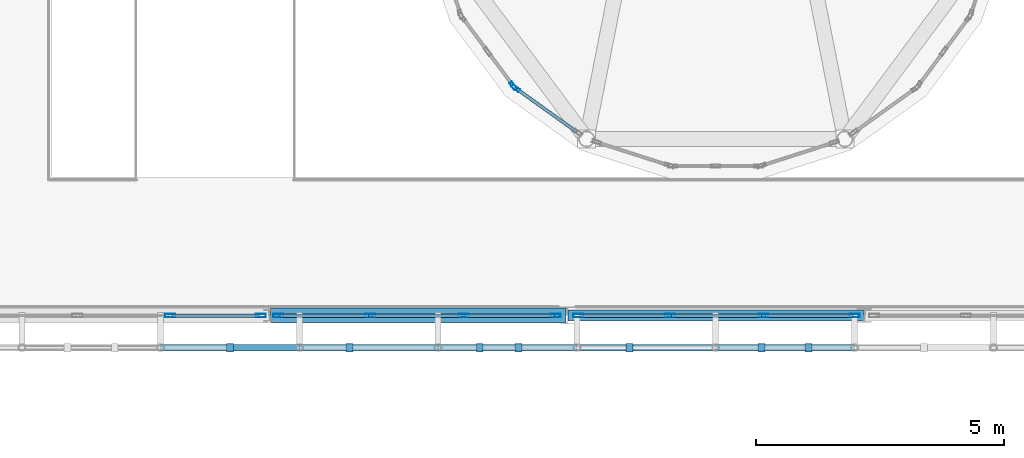
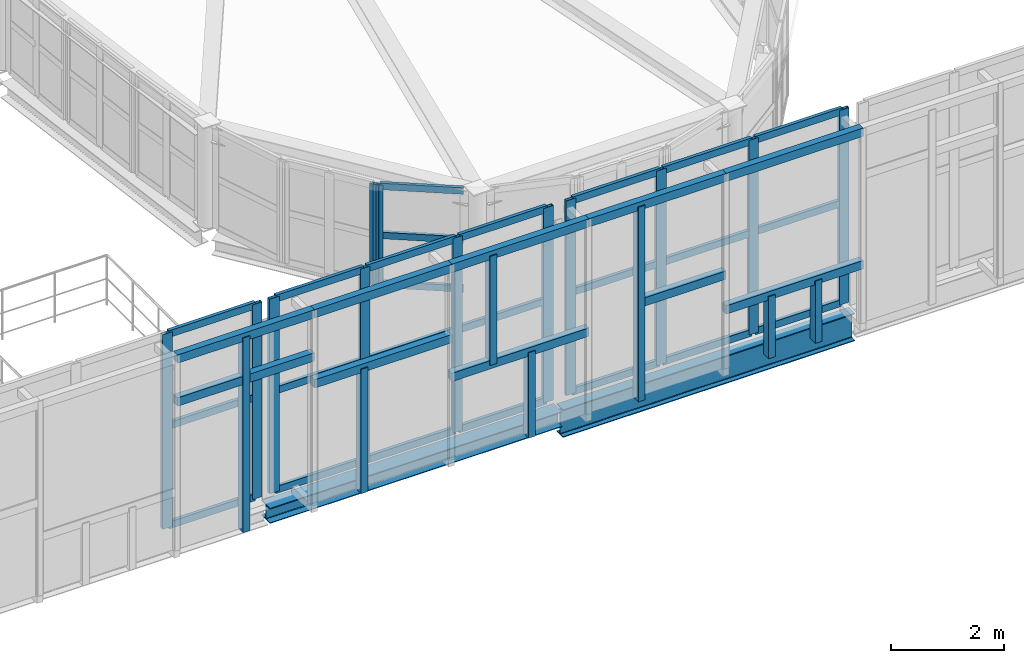
# One storey, part 22 of 78: 53 members, 2 beams, 5 elements without a shape of their own.
"""IFC4 building model written with IfcOpenShell, lengths in metres."""

from ifc_helpers import new_model, si_unit, direction, frame, origin, origin_2d, place, context, subcontext, project, spatial, rectangle, hollow_rectangle, i_section, extrude, material, layer, layer_set, material_profile, profile_set, type_object, element, aggregate, save


model = new_model("IFC4")

# Units and contexts
model_context = context("Model", 3, precision=1e-05, world=origin(), true_north=direction((0.0, 1.0)))
body_context = subcontext(model_context, "Body", "Model", "MODEL_VIEW")
ifc_project = project(units=[si_unit("LENGTHUNIT", "METRE"), si_unit("AREAUNIT", "SQUARE_METRE"), si_unit("VOLUMEUNIT", "CUBIC_METRE"), si_unit("PLANEANGLEUNIT", "RADIAN"), si_unit("MASSUNIT", "GRAM", prefix="KILO")], contexts=[model_context])

# Site, building, storey
site_placement = place(None, origin())
site = spatial("IfcSite", under=ifc_project, at=site_placement, CompositionType="ELEMENT")
building_placement = place(site_placement, origin())
building = spatial("IfcBuilding", under=site, at=building_placement, Name="Vinh Khe Railworks Police Headquarters", CompositionType="ELEMENT")
storey_placement = place(building_placement, frame((0.0, 0.0, 13.199951171875)))
storey = spatial("IfcBuildingStorey", under=building, at=storey_placement, Name="L03", CompositionType="ELEMENT", Elevation=13.199951171875)

# Members
ifc_material_1 = material(Name="Salvaged ironwood timber", Category="wood")
ifc_material_profile_1 = material_profile(ifc_material_1, rectangle(XDim=0.139892578125, YDim=0.179931640625, at=origin_2d()), Name="TIMBER 140x180")
ifc_profile_set_1 = profile_set([ifc_material_profile_1], Name="Salvaged ironwood timber")
member_type_1 = type_object("IfcMemberType", Name="MEM-QUILT-STILE", PredefinedType="CHORD", material=ifc_profile_set_1)
for number, where, z_axis, x_axis, name in (
    (1, (32.0, 24.550048828125, 4.1201171875), (1.0, 0.0, 0.0), (0.0, 1.0, 0.0), "Salvaged Timber Quilt Transom S-L03-02-TOP"),
    (2, (32.0, 24.550048828125, 3.192138671875), (1.0, 0.0, 0.0), (0.0, 1.0, 0.0), "Salvaged Timber Quilt Transom S-L03-02-M1"),
):
    element("IfcMember", number, at=place(storey_placement, frame(where, z_axis=z_axis, x_axis=x_axis)), inside=storey, type_object=member_type_1, Name=name, PredefinedType="CHORD", context=body_context, shape_type="SweptSolid", body=[
        extrude(rectangle(XDim=0.139892578125, YDim=0.179931640625, at=origin_2d()), origin(), (0.0, 0.0, 1.0), 2.800048828125),
    ])
member_1_placement = place(storey_placement, frame((33.39990234375, 24.550048828125, -0.079833984375), z_axis=(0.0, 0.0, 1.0), x_axis=(1.0, 0.0, 0.0)))
element("IfcMember", 3, at=member_1_placement, inside=storey, type_object=member_type_1, Name="Salvaged Timber Quilt Stile S-L03-02-V1", PredefinedType="POST", context=body_context, shape_type="SweptSolid", body=[
    extrude(rectangle(XDim=0.139892578125, YDim=0.179931640625, at=origin_2d()), origin(), (0.0, 0.0, 1.0), 4.199951171875),
])
for number, where, z_axis, x_axis, name in (
    (4, (34.800048828125, 24.550048828125, 4.1201171875), (1.0, 0.0, 0.0), (0.0, 1.0, 0.0), "Salvaged Timber Quilt Transom S-L03-03-TOP"),
    (5, (34.800048828125, 24.550048828125, 2.60400390625), (1.0, 0.0, 0.0), (0.0, 1.0, 0.0), "Salvaged Timber Quilt Transom S-L03-03-M1"),
):
    element("IfcMember", number, at=place(storey_placement, frame(where, z_axis=z_axis, x_axis=x_axis)), inside=storey, type_object=member_type_1, Name=name, PredefinedType="CHORD", context=body_context, shape_type="SweptSolid", body=[
        extrude(rectangle(XDim=0.139892578125, YDim=0.179931640625, at=origin_2d()), origin(), (0.0, 0.0, 1.0), 2.800048828125),
    ])
member_2_placement = place(storey_placement, frame((35.80810546875, 24.550048828125, -0.079833984375), z_axis=(0.0, 0.0, 1.0), x_axis=(1.0, 0.0, 0.0)))
element("IfcMember", 6, at=member_2_placement, inside=storey, type_object=member_type_1, Name="Salvaged Timber Quilt Stile S-L03-03-V1", PredefinedType="POST", context=body_context, shape_type="SweptSolid", body=[
    extrude(rectangle(XDim=0.139892578125, YDim=0.179931640625, at=origin_2d()), origin(), (0.0, 0.0, 1.0), 2.683837890625),
])
for number, where, z_axis, x_axis, name in (
    (7, (37.60009765625, 24.550048828125, 4.1201171875), (1.0, 0.0, 0.0), (0.0, 1.0, 0.0), "Salvaged Timber Quilt Transom S-L03-04-TOP"),
    (8, (37.60009765625, 24.550048828125, 1.76416015625), (1.0, 0.0, 0.0), (0.0, 1.0, 0.0), "Salvaged Timber Quilt Transom S-L03-04-M1"),
):
    element("IfcMember", number, at=place(storey_placement, frame(where, z_axis=z_axis, x_axis=x_axis)), inside=storey, type_object=member_type_1, Name=name, PredefinedType="CHORD", context=body_context, shape_type="SweptSolid", body=[
        extrude(rectangle(XDim=0.139892578125, YDim=0.179931640625, at=origin_2d()), origin(), (0.0, 0.0, 1.0), 2.7998046875),
    ])
member_3_placement = place(storey_placement, frame((39.22412109375, 24.550048828125, -0.079833984375), z_axis=(0.0, 0.0, 1.0), x_axis=(1.0, 0.0, 0.0)))
element("IfcMember", 9, at=member_3_placement, inside=storey, type_object=member_type_1, Name="Salvaged Timber Quilt Stile S-L03-04-V1", PredefinedType="POST", context=body_context, shape_type="SweptSolid", body=[
    extrude(rectangle(XDim=0.139892578125, YDim=0.179931640625, at=origin_2d()), origin(), (0.0, 0.0, 1.0), 1.843994140625),
])
member_4_placement = place(storey_placement, frame((38.43994140625, 24.550048828125, 1.76416015625), z_axis=(0.0, 0.0, 1.0), x_axis=(1.0, 0.0, 0.0)))
element("IfcMember", 10, at=member_4_placement, inside=storey, type_object=member_type_1, Name="Salvaged Timber Quilt Stile S-L03-04-V2", PredefinedType="POST", context=body_context, shape_type="SweptSolid", body=[
    extrude(rectangle(XDim=0.139892578125, YDim=0.179931640625, at=origin_2d()), origin(), (0.0, 0.0, 1.0), 2.35595703125),
])
member_5_placement = place(storey_placement, frame((40.39990234375, 24.550048828125, 4.1201171875), z_axis=(1.0, 0.0, 0.0), x_axis=(0.0, 1.0, 0.0)))
element("IfcMember", 11, at=member_5_placement, inside=storey, type_object=member_type_1, Name="Salvaged Timber Quilt Transom S-L03-05-TOP", PredefinedType="CHORD", context=body_context, shape_type="SweptSolid", body=[
    extrude(rectangle(XDim=0.139892578125, YDim=0.179931640625, at=origin_2d()), origin(), (0.0, 0.0, 1.0), 2.800048828125),
])
member_6_placement = place(storey_placement, frame((41.464111328125, 24.550048828125, -0.079833984375), z_axis=(0.0, 0.0, 1.0), x_axis=(1.0, 0.0, 0.0)))
element("IfcMember", 12, at=member_6_placement, inside=storey, type_object=member_type_1, Name="Salvaged Timber Quilt Stile S-L03-05-V1", PredefinedType="POST", context=body_context, shape_type="SweptSolid", body=[
    extrude(rectangle(XDim=0.139892578125, YDim=0.179931640625, at=origin_2d()), origin(), (0.0, 0.0, 1.0), 4.199951171875),
])
member_7_placement = place(storey_placement, frame((41.464111328125, 24.550048828125, 2.01611328125), z_axis=(1.0, 0.0, 0.0), x_axis=(0.0, 1.0, 0.0)))
element("IfcMember", 13, at=member_7_placement, inside=storey, type_object=member_type_1, Name="Salvaged Timber Quilt Transom S-L03-05-M1", PredefinedType="CHORD", context=body_context, shape_type="SweptSolid", body=[
    extrude(rectangle(XDim=0.139892578125, YDim=0.179931640625, at=origin_2d()), origin(), (0.0, 0.0, 1.0), 1.73583984375),
])
for number, where, z_axis, x_axis, name in (
    (14, (43.199951171875, 24.550048828125, 4.1201171875), (1.0, 0.0, 0.0), (0.0, 1.0, 0.0), "Salvaged Timber Quilt Transom S-L03-06-TOP"),
    (15, (43.199951171875, 24.550048828125, 1.260009765625), (1.0, 0.0, 0.0), (0.0, 1.0, 0.0), "Salvaged Timber Quilt Transom S-L03-06-M1"),
):
    element("IfcMember", number, at=place(storey_placement, frame(where, z_axis=z_axis, x_axis=x_axis)), inside=storey, type_object=member_type_1, Name=name, PredefinedType="CHORD", context=body_context, shape_type="SweptSolid", body=[
        extrude(rectangle(XDim=0.139892578125, YDim=0.179931640625, at=origin_2d()), origin(), (0.0, 0.0, 1.0), 2.800048828125),
    ])
for number, where, z_axis, x_axis, name in (
    (16, (44.1240234375, 24.550048828125, -0.079833984375), (0.0, 0.0, 1.0), (1.0, 0.0, 0.0), "Salvaged Timber Quilt Stile S-L03-06-V1"),
    (17, (45.075927734375, 24.550048828125, -0.079833984375), (0.0, 0.0, 1.0), (1.0, 0.0, 0.0), "Salvaged Timber Quilt Stile S-L03-06-V2"),
):
    element("IfcMember", number, at=place(storey_placement, frame(where, z_axis=z_axis, x_axis=x_axis)), inside=storey, type_object=member_type_1, Name=name, PredefinedType="POST", context=body_context, shape_type="SweptSolid", body=[
        extrude(rectangle(XDim=0.139892578125, YDim=0.179931640625, at=origin_2d()), origin(), (0.0, 0.0, 1.0), 1.33984375),
    ])

# Curtain wall, member
ifc_material_2 = material(Name="Anodised aluminium and acoustic laminated glass", Category="aluminium")
ifc_layer_1 = layer(ifc_material_2, 0.159912109375)
ifc_layer_set_1 = layer_set([ifc_layer_1], Name="Anodised aluminium and acoustic laminated glass")
curtain_wall_type_1 = type_object("IfcCurtainWallType", Name="CW-DRUM-CHORD", PredefinedType="USERDEFINED", material=ifc_layer_set_1)
curtain_wall_1_placement = place(storey_placement, origin())
curtain_wall_1 = element("IfcCurtainWall", 18, at=curtain_wall_1_placement, inside=storey, type_object=curtain_wall_type_1, Name="Elliptical Command Drum Glazing L03 Chord 29", ObjectType="DRUM FACADE GLAZING", PredefinedType="USERDEFINED")
ifc_material_3 = material(Name="Anodised aluminium 6063-T6", Category="aluminium")
ifc_material_profile_2 = material_profile(ifc_material_3, hollow_rectangle(XDim=0.06494140625, YDim=0.179931640625, WallThickness=0.0048828125, at=origin_2d()), Name="CW-M 65x180x5")
ifc_profile_set_2 = profile_set([ifc_material_profile_2], Name="Anodised aluminium 6063-T6")
member_type_2 = type_object("IfcMemberType", Name="MULL-CWM-02", PredefinedType="MULLION", material=ifc_profile_set_2)
member_8_placement = place(storey_placement, frame((39.11669921875, 29.83251953125, 0.0), z_axis=(0.0, 0.0, 1.0), x_axis=(0.802591949394, 0.596528425784, 0.0)))
member_8 = element("IfcMember", 19, at=member_8_placement, type_object=member_type_2, Name="CW-02 mullion 3", PredefinedType="MULLION", context=body_context, shape_type="SweptSolid", body=[
    extrude(hollow_rectangle(XDim=0.06494140625, YDim=0.179931640625, WallThickness=0.0048828125, at=origin_2d()), origin(), (0.0, 0.0, 1.0), 2.179931640625),
])
aggregate(curtain_wall_1, [member_8])

curtain_wall_2_placement = place(storey_placement, origin())
curtain_wall_2 = element("IfcCurtainWall", 20, at=curtain_wall_2_placement, inside=storey, type_object=curtain_wall_type_1, Name="Elliptical Command Drum Glazing L03 Chord 30", ObjectType="DRUM FACADE GLAZING", PredefinedType="USERDEFINED")
member_9_placement = place(storey_placement, frame((39.162353515625, 29.78759765625, 0.0), z_axis=(0.0, 0.0, 1.0), x_axis=(0.581914029649, 0.813250307161, 0.0)))
member_9 = element("IfcMember", 21, at=member_9_placement, type_object=member_type_2, Name="CW-02 mullion 1", PredefinedType="MULLION", context=body_context, shape_type="SweptSolid", body=[
    extrude(hollow_rectangle(XDim=0.06494140625, YDim=0.179931640625, WallThickness=0.0048828125, at=origin_2d()), origin(), (0.0, 0.0, 1.0), 2.179931640625),
])

# Curtain wall, members
ifc_material_4 = material(Name="Anodised aluminium and low-iron glass", Category="aluminium")
ifc_layer_2 = layer(ifc_material_4, 0.179931640625)
ifc_layer_set_2 = layer_set([ifc_layer_2], Name="Anodised aluminium and low-iron glass")
curtain_wall_type_2 = type_object("IfcCurtainWallType", Name="CW-CUBE-UNIT", PredefinedType="USERDEFINED", material=ifc_layer_set_2)
curtain_wall_3_placement = place(storey_placement, origin())
curtain_wall_3 = element("IfcCurtainWall", 22, at=curtain_wall_3_placement, inside=storey, type_object=curtain_wall_type_2, Name="Entrance Hall Curtain Wall L03 S-1", ObjectType="UNITISED GLAZING", PredefinedType="USERDEFINED")
ifc_material_profile_3 = material_profile(ifc_material_3, hollow_rectangle(XDim=0.070068359375, YDim=0.199951171875, WallThickness=0.0048828125, at=origin_2d()), Name="CW-M 70x200x5")
ifc_profile_set_3 = profile_set([ifc_material_profile_3], Name="Anodised aluminium 6063-T6")
member_type_3 = type_object("IfcMemberType", Name="MULL-CWM-03", PredefinedType="MULLION", material=ifc_profile_set_3)
member_10_placement = place(storey_placement, frame((32.191162109375, 25.199951171875, 0.0), z_axis=(0.0, 0.0, 1.0), x_axis=(0.0, 1.0, 0.0)))
member_10 = element("IfcMember", 23, at=member_10_placement, type_object=member_type_3, Name="CW-01 mullion 4", PredefinedType="MULLION", context=body_context, shape_type="SweptSolid", body=[
    extrude(hollow_rectangle(XDim=0.070068359375, YDim=0.199951171875, WallThickness=0.0048828125, at=origin_2d()), origin(), (0.0, 0.0, 1.0), 4.199951171875),
])
member_11_placement = place(storey_placement, frame((34.02490234375, 25.199951171875, 0.0), z_axis=(0.0, 0.0, 1.0), x_axis=(0.0, 1.0, 0.0)))
member_11 = element("IfcMember", 24, at=member_11_placement, type_object=member_type_3, Name="CW-01 mullion 5", PredefinedType="MULLION", context=body_context, shape_type="SweptSolid", body=[
    extrude(hollow_rectangle(XDim=0.070068359375, YDim=0.199951171875, WallThickness=0.0048828125, at=origin_2d()), origin(), (0.0, 0.0, 1.0), 4.199951171875),
])

curtain_wall_4_placement = place(storey_placement, origin())
curtain_wall_4 = element("IfcCurtainWall", 25, at=curtain_wall_4_placement, inside=storey, type_object=curtain_wall_type_2, Name="Entrance Hall Curtain Wall L03 S-2", ObjectType="UNITISED GLAZING", PredefinedType="USERDEFINED")
member_12_placement = place(storey_placement, frame((34.375, 25.199951171875, 0.0), z_axis=(0.0, 0.0, 1.0), x_axis=(0.0, 1.0, 0.0)))
member_12 = element("IfcMember", 26, at=member_12_placement, type_object=member_type_3, Name="CW-01 mullion 1", PredefinedType="MULLION", context=body_context, shape_type="SweptSolid", body=[
    extrude(hollow_rectangle(XDim=0.070068359375, YDim=0.199951171875, WallThickness=0.0048828125, at=origin_2d()), origin(), (0.0, 0.0, 1.0), 4.199951171875),
])
member_13_placement = place(storey_placement, frame((36.228271484375, 25.199951171875, 0.0), z_axis=(0.0, 0.0, 1.0), x_axis=(0.0, 1.0, 0.0)))
member_13 = element("IfcMember", 27, at=member_13_placement, type_object=member_type_3, Name="CW-01 mullion 2", PredefinedType="MULLION", context=body_context, shape_type="SweptSolid", body=[
    extrude(hollow_rectangle(XDim=0.070068359375, YDim=0.199951171875, WallThickness=0.0048828125, at=origin_2d()), origin(), (0.0, 0.0, 1.0), 4.199951171875),
])
member_14_placement = place(storey_placement, frame((38.11669921875, 25.199951171875, 0.0), z_axis=(0.0, 0.0, 1.0), x_axis=(0.0, 1.0, 0.0)))
member_14 = element("IfcMember", 28, at=member_14_placement, type_object=member_type_3, Name="CW-01 mullion 3", PredefinedType="MULLION", context=body_context, shape_type="SweptSolid", body=[
    extrude(hollow_rectangle(XDim=0.070068359375, YDim=0.199951171875, WallThickness=0.0048828125, at=origin_2d()), origin(), (0.0, 0.0, 1.0), 4.199951171875),
])
member_15_placement = place(storey_placement, frame((39.969970703125, 25.199951171875, 0.0), z_axis=(0.0, 0.0, 1.0), x_axis=(0.0, 1.0, 0.0)))
member_15 = element("IfcMember", 29, at=member_15_placement, type_object=member_type_3, Name="CW-01 mullion 4", PredefinedType="MULLION", context=body_context, shape_type="SweptSolid", body=[
    extrude(hollow_rectangle(XDim=0.070068359375, YDim=0.199951171875, WallThickness=0.0048828125, at=origin_2d()), origin(), (0.0, 0.0, 1.0), 4.199951171875),
])

curtain_wall_5_placement = place(storey_placement, origin())
curtain_wall_5 = element("IfcCurtainWall", 30, at=curtain_wall_5_placement, inside=storey, type_object=curtain_wall_type_2, Name="Entrance Hall Curtain Wall L03 S-3", ObjectType="UNITISED GLAZING", PredefinedType="USERDEFINED")
member_16_placement = place(storey_placement, frame((40.429931640625, 25.199951171875, 0.0), z_axis=(0.0, 0.0, 1.0), x_axis=(0.0, 1.0, 0.0)))
member_16 = element("IfcMember", 31, at=member_16_placement, type_object=member_type_3, Name="CW-01 mullion 1", PredefinedType="MULLION", context=body_context, shape_type="SweptSolid", body=[
    extrude(hollow_rectangle(XDim=0.070068359375, YDim=0.199951171875, WallThickness=0.0048828125, at=origin_2d()), origin(), (0.0, 0.0, 1.0), 4.199951171875),
])
member_17_placement = place(storey_placement, frame((42.276611328125, 25.199951171875, 0.0), z_axis=(0.0, 0.0, 1.0), x_axis=(0.0, 1.0, 0.0)))
member_17 = element("IfcMember", 32, at=member_17_placement, type_object=member_type_3, Name="CW-01 mullion 2", PredefinedType="MULLION", context=body_context, shape_type="SweptSolid", body=[
    extrude(hollow_rectangle(XDim=0.070068359375, YDim=0.199951171875, WallThickness=0.0048828125, at=origin_2d()), origin(), (0.0, 0.0, 1.0), 4.199951171875),
])
member_18_placement = place(storey_placement, frame((44.158447265625, 25.199951171875, 0.0), z_axis=(0.0, 0.0, 1.0), x_axis=(0.0, 1.0, 0.0)))
member_18 = element("IfcMember", 33, at=member_18_placement, type_object=member_type_3, Name="CW-01 mullion 3", PredefinedType="MULLION", context=body_context, shape_type="SweptSolid", body=[
    extrude(hollow_rectangle(XDim=0.070068359375, YDim=0.199951171875, WallThickness=0.0048828125, at=origin_2d()), origin(), (0.0, 0.0, 1.0), 4.199951171875),
])
member_19_placement = place(storey_placement, frame((46.0048828125, 25.199951171875, 0.0), z_axis=(0.0, 0.0, 1.0), x_axis=(0.0, 1.0, 0.0)))
member_19 = element("IfcMember", 34, at=member_19_placement, type_object=member_type_3, Name="CW-01 mullion 4", PredefinedType="MULLION", context=body_context, shape_type="SweptSolid", body=[
    extrude(hollow_rectangle(XDim=0.070068359375, YDim=0.199951171875, WallThickness=0.0048828125, at=origin_2d()), origin(), (0.0, 0.0, 1.0), 4.199951171875),
])

# Beams
ifc_material_5 = material(Name="Steel S355JR", Category="steel")
ifc_material_profile_4 = material_profile(ifc_material_5, i_section(OverallWidth=0.300048828125, OverallDepth=0.330078125, WebThickness=0.009521484375, FlangeThickness=0.0166015625, FilletRadius=0.027099609375, at=origin_2d()), Name="HEA 340")
ifc_profile_set_4 = profile_set([ifc_material_profile_4], Name="Steel S355JR")
beam_type_1 = type_object("IfcBeamType", Name="Steel Girder HEA 340", PredefinedType="BEAM", material=ifc_profile_set_4)
beam_1_placement = place(storey_placement, frame((34.219970703125, 25.199951171875, -0.385009765625), z_axis=(1.0, 0.0, 0.0), x_axis=(0.0, 1.0, 0.0)))
element("IfcBeam", 35, at=beam_1_placement, inside=storey, type_object=beam_type_1, Name="Girder BM-L03-EW-SB-16-1040", PredefinedType="BEAM", context=body_context, shape_type="SweptSolid", body=[
    extrude(i_section(OverallWidth=0.300048828125, OverallDepth=0.330078125, WebThickness=0.009521484375, FlangeThickness=0.0166015625, FilletRadius=0.027099609375, at=origin_2d()), origin(), (0.0, 0.0, 1.0), 5.9599609375),
])
ifc_material_profile_5 = material_profile(ifc_material_5, i_section(OverallWidth=0.219970703125, OverallDepth=0.60009765625, WebThickness=0.011962890625, FlangeThickness=0.01904296875, FilletRadius=0.02392578125, at=origin_2d()), Name="IPE 600")
ifc_profile_set_5 = profile_set([ifc_material_profile_5], Name="Steel S355JR")
beam_type_2 = type_object("IfcBeamType", Name="Steel Girder IPE 600", PredefinedType="BEAM", material=ifc_profile_set_5)
beam_2_placement = place(storey_placement, frame((40.219970703125, 25.199951171875, -0.52001953125), z_axis=(1.0, 0.0, 0.0), x_axis=(0.0, 1.0, 0.0)))
element("IfcBeam", 36, at=beam_2_placement, inside=storey, type_object=beam_type_2, Name="Girder BM-L03-EW-SB-17-1041", PredefinedType="BEAM", context=body_context, shape_type="SweptSolid", body=[
    extrude(i_section(OverallWidth=0.219970703125, OverallDepth=0.60009765625, WebThickness=0.011962890625, FlangeThickness=0.01904296875, FilletRadius=0.02392578125, at=origin_2d()), origin(), (0.0, 0.0, 1.0), 5.9599609375),
])

# Member
ifc_material_profile_6 = material_profile(ifc_material_3, hollow_rectangle(XDim=0.06494140625, YDim=0.139892578125, WallThickness=0.00390625, at=origin_2d()), Name="CW-T 65x140x4")
ifc_profile_set_6 = profile_set([ifc_material_profile_6], Name="Anodised aluminium 6063-T6")
member_type_4 = type_object("IfcMemberType", Name="TRAN-CWT-02", PredefinedType="USERDEFINED", material=ifc_profile_set_6)
member_20_placement = place(storey_placement, frame((39.18896484375, 29.7685546875, 0.032470703125), z_axis=(0.81324336246, -0.58192373505, 0.0), x_axis=(0.58192373505, 0.81324336246, 0.0)))
member_20 = element("IfcMember", 37, at=member_20_placement, type_object=member_type_4, Name="CW-02 transom 1.1", ObjectType="TRANSOM", PredefinedType="USERDEFINED", context=body_context, shape_type="SweptSolid", body=[
    extrude(hollow_rectangle(XDim=0.06494140625, YDim=0.139892578125, WallThickness=0.00390625, at=origin_2d()), origin(), (0.0, 0.0, 1.0), 1.48193359375),
])

member_21_placement = place(storey_placement, frame((39.18896484375, 29.7685546875, 1.090087890625), z_axis=(0.81324336246, -0.58192373505, 0.0), x_axis=(0.58192373505, 0.81324336246, 0.0)))
member_21 = element("IfcMember", 38, at=member_21_placement, type_object=member_type_4, Name="CW-02 transom 1.2", ObjectType="TRANSOM", PredefinedType="USERDEFINED", context=body_context, shape_type="SweptSolid", body=[
    extrude(hollow_rectangle(XDim=0.06494140625, YDim=0.139892578125, WallThickness=0.00390625, at=origin_2d()), origin(), (0.0, 0.0, 1.0), 1.48193359375),
])

member_22_placement = place(storey_placement, frame((39.18896484375, 29.7685546875, 2.1474609375), z_axis=(0.81324336246, -0.58192373505, 0.0), x_axis=(0.58192373505, 0.81324336246, 0.0)))
member_22 = element("IfcMember", 39, at=member_22_placement, type_object=member_type_4, Name="CW-02 transom 1.3", ObjectType="TRANSOM", PredefinedType="USERDEFINED", context=body_context, shape_type="SweptSolid", body=[
    extrude(hollow_rectangle(XDim=0.06494140625, YDim=0.139892578125, WallThickness=0.00390625, at=origin_2d()), origin(), (0.0, 0.0, 1.0), 1.48193359375),
])

aggregate(curtain_wall_2, [member_9, member_20, member_21, member_22])

ifc_material_profile_7 = material_profile(ifc_material_3, hollow_rectangle(XDim=0.070068359375, YDim=0.14990234375, WallThickness=0.0048828125, at=origin_2d()), Name="CW-T 70x150x5")
ifc_profile_set_7 = profile_set([ifc_material_profile_7], Name="Anodised aluminium 6063-T6")
member_type_5 = type_object("IfcMemberType", Name="TRAN-CWT-03", PredefinedType="USERDEFINED", material=ifc_profile_set_7)
member_23_placement = place(storey_placement, frame((32.226318359375, 25.199951171875, 0.03515625), z_axis=(1.0, 0.0, 0.0), x_axis=(0.0, 1.0, 0.0)))
member_23 = element("IfcMember", 40, at=member_23_placement, type_object=member_type_5, Name="CW-01 transom 4.1", ObjectType="TRANSOM", PredefinedType="USERDEFINED", context=body_context, shape_type="SweptSolid", body=[
    extrude(hollow_rectangle(XDim=0.070068359375, YDim=0.14990234375, WallThickness=0.0048828125, at=origin_2d()), origin(), (0.0, 0.0, 1.0), 1.763671875),
])

member_24_placement = place(storey_placement, frame((32.226318359375, 25.199951171875, 2.18408203125), z_axis=(1.0, 0.0, 0.0), x_axis=(0.0, 1.0, 0.0)))
member_24 = element("IfcMember", 41, at=member_24_placement, type_object=member_type_5, Name="CW-01 transom 4.2", ObjectType="TRANSOM", PredefinedType="USERDEFINED", context=body_context, shape_type="SweptSolid", body=[
    extrude(hollow_rectangle(XDim=0.070068359375, YDim=0.14990234375, WallThickness=0.0048828125, at=origin_2d()), origin(), (0.0, 0.0, 1.0), 1.763671875),
])

member_25_placement = place(storey_placement, frame((32.226318359375, 25.199951171875, 4.1650390625), z_axis=(1.0, 0.0, 0.0), x_axis=(0.0, 1.0, 0.0)))
member_25 = element("IfcMember", 42, at=member_25_placement, type_object=member_type_5, Name="CW-01 transom 4.3", ObjectType="TRANSOM", PredefinedType="USERDEFINED", context=body_context, shape_type="SweptSolid", body=[
    extrude(hollow_rectangle(XDim=0.070068359375, YDim=0.14990234375, WallThickness=0.0048828125, at=origin_2d()), origin(), (0.0, 0.0, 1.0), 1.763671875),
])

aggregate(curtain_wall_3, [member_10, member_11, member_23, member_24, member_25])

member_26_placement = place(storey_placement, frame((34.409912109375, 25.199951171875, 0.03515625), z_axis=(1.0, 0.0, 0.0), x_axis=(0.0, 1.0, 0.0)))
member_26 = element("IfcMember", 43, at=member_26_placement, type_object=member_type_5, Name="CW-01 transom 1.1", ObjectType="TRANSOM", PredefinedType="USERDEFINED", context=body_context, shape_type="SweptSolid", body=[
    extrude(hollow_rectangle(XDim=0.070068359375, YDim=0.14990234375, WallThickness=0.0048828125, at=origin_2d()), origin(), (0.0, 0.0, 1.0), 1.783447265625),
])

member_27_placement = place(storey_placement, frame((34.409912109375, 25.199951171875, 2.18408203125), z_axis=(1.0, 0.0, 0.0), x_axis=(0.0, 1.0, 0.0)))
member_27 = element("IfcMember", 44, at=member_27_placement, type_object=member_type_5, Name="CW-01 transom 1.2", ObjectType="TRANSOM", PredefinedType="USERDEFINED", context=body_context, shape_type="SweptSolid", body=[
    extrude(hollow_rectangle(XDim=0.070068359375, YDim=0.14990234375, WallThickness=0.0048828125, at=origin_2d()), origin(), (0.0, 0.0, 1.0), 1.783447265625),
])

member_28_placement = place(storey_placement, frame((34.409912109375, 25.199951171875, 4.1650390625), z_axis=(1.0, 0.0, 0.0), x_axis=(0.0, 1.0, 0.0)))
member_28 = element("IfcMember", 45, at=member_28_placement, type_object=member_type_5, Name="CW-01 transom 1.3", ObjectType="TRANSOM", PredefinedType="USERDEFINED", context=body_context, shape_type="SweptSolid", body=[
    extrude(hollow_rectangle(XDim=0.070068359375, YDim=0.14990234375, WallThickness=0.0048828125, at=origin_2d()), origin(), (0.0, 0.0, 1.0), 1.783447265625),
])

member_29_placement = place(storey_placement, frame((36.263427734375, 25.199951171875, 0.03515625), z_axis=(1.0, 0.0, 0.0), x_axis=(0.0, 1.0, 0.0)))
member_29 = element("IfcMember", 46, at=member_29_placement, type_object=member_type_5, Name="CW-01 transom 2.1", ObjectType="TRANSOM", PredefinedType="USERDEFINED", context=body_context, shape_type="SweptSolid", body=[
    extrude(hollow_rectangle(XDim=0.070068359375, YDim=0.14990234375, WallThickness=0.0048828125, at=origin_2d()), origin(), (0.0, 0.0, 1.0), 1.818359375),
])

member_30_placement = place(storey_placement, frame((36.263427734375, 25.199951171875, 2.18408203125), z_axis=(1.0, 0.0, 0.0), x_axis=(0.0, 1.0, 0.0)))
member_30 = element("IfcMember", 47, at=member_30_placement, type_object=member_type_5, Name="CW-01 transom 2.2", ObjectType="TRANSOM", PredefinedType="USERDEFINED", context=body_context, shape_type="SweptSolid", body=[
    extrude(hollow_rectangle(XDim=0.070068359375, YDim=0.14990234375, WallThickness=0.0048828125, at=origin_2d()), origin(), (0.0, 0.0, 1.0), 1.818359375),
])

member_31_placement = place(storey_placement, frame((36.263427734375, 25.199951171875, 4.1650390625), z_axis=(1.0, 0.0, 0.0), x_axis=(0.0, 1.0, 0.0)))
member_31 = element("IfcMember", 48, at=member_31_placement, type_object=member_type_5, Name="CW-01 transom 2.3", ObjectType="TRANSOM", PredefinedType="USERDEFINED", context=body_context, shape_type="SweptSolid", body=[
    extrude(hollow_rectangle(XDim=0.070068359375, YDim=0.14990234375, WallThickness=0.0048828125, at=origin_2d()), origin(), (0.0, 0.0, 1.0), 1.818359375),
])

member_32_placement = place(storey_placement, frame((38.151611328125, 25.199951171875, 0.03515625), z_axis=(1.0, 0.0, 0.0), x_axis=(0.0, 1.0, 0.0)))
member_32 = element("IfcMember", 49, at=member_32_placement, type_object=member_type_5, Name="CW-01 transom 3.1", ObjectType="TRANSOM", PredefinedType="USERDEFINED", context=body_context, shape_type="SweptSolid", body=[
    extrude(hollow_rectangle(XDim=0.070068359375, YDim=0.14990234375, WallThickness=0.0048828125, at=origin_2d()), origin(), (0.0, 0.0, 1.0), 1.783447265625),
])

member_33_placement = place(storey_placement, frame((38.151611328125, 25.199951171875, 2.18408203125), z_axis=(1.0, 0.0, 0.0), x_axis=(0.0, 1.0, 0.0)))
member_33 = element("IfcMember", 50, at=member_33_placement, type_object=member_type_5, Name="CW-01 transom 3.2", ObjectType="TRANSOM", PredefinedType="USERDEFINED", context=body_context, shape_type="SweptSolid", body=[
    extrude(hollow_rectangle(XDim=0.070068359375, YDim=0.14990234375, WallThickness=0.0048828125, at=origin_2d()), origin(), (0.0, 0.0, 1.0), 1.783447265625),
])

member_34_placement = place(storey_placement, frame((38.151611328125, 25.199951171875, 4.1650390625), z_axis=(1.0, 0.0, 0.0), x_axis=(0.0, 1.0, 0.0)))
member_34 = element("IfcMember", 51, at=member_34_placement, type_object=member_type_5, Name="CW-01 transom 3.3", ObjectType="TRANSOM", PredefinedType="USERDEFINED", context=body_context, shape_type="SweptSolid", body=[
    extrude(hollow_rectangle(XDim=0.070068359375, YDim=0.14990234375, WallThickness=0.0048828125, at=origin_2d()), origin(), (0.0, 0.0, 1.0), 1.783447265625),
])

aggregate(curtain_wall_4, [member_12, member_13, member_14, member_15, member_26, member_27, member_28, member_29, member_30, member_31, member_32, member_33, member_34])

member_35_placement = place(storey_placement, frame((40.465087890625, 25.199951171875, 0.03515625), z_axis=(1.0, 0.0, 0.0), x_axis=(0.0, 1.0, 0.0)))
member_35 = element("IfcMember", 52, at=member_35_placement, type_object=member_type_5, Name="CW-01 transom 1.1", ObjectType="TRANSOM", PredefinedType="USERDEFINED", context=body_context, shape_type="SweptSolid", body=[
    extrude(hollow_rectangle(XDim=0.070068359375, YDim=0.14990234375, WallThickness=0.0048828125, at=origin_2d()), origin(), (0.0, 0.0, 1.0), 1.776611328125),
])

member_36_placement = place(storey_placement, frame((40.465087890625, 25.199951171875, 2.18408203125), z_axis=(1.0, 0.0, 0.0), x_axis=(0.0, 1.0, 0.0)))
member_36 = element("IfcMember", 53, at=member_36_placement, type_object=member_type_5, Name="CW-01 transom 1.2", ObjectType="TRANSOM", PredefinedType="USERDEFINED", context=body_context, shape_type="SweptSolid", body=[
    extrude(hollow_rectangle(XDim=0.070068359375, YDim=0.14990234375, WallThickness=0.0048828125, at=origin_2d()), origin(), (0.0, 0.0, 1.0), 1.776611328125),
])

member_37_placement = place(storey_placement, frame((40.465087890625, 25.199951171875, 4.1650390625), z_axis=(1.0, 0.0, 0.0), x_axis=(0.0, 1.0, 0.0)))
member_37 = element("IfcMember", 54, at=member_37_placement, type_object=member_type_5, Name="CW-01 transom 1.3", ObjectType="TRANSOM", PredefinedType="USERDEFINED", context=body_context, shape_type="SweptSolid", body=[
    extrude(hollow_rectangle(XDim=0.070068359375, YDim=0.14990234375, WallThickness=0.0048828125, at=origin_2d()), origin(), (0.0, 0.0, 1.0), 1.776611328125),
])

member_38_placement = place(storey_placement, frame((42.311767578125, 25.199951171875, 0.03515625), z_axis=(1.0, 0.0, 0.0), x_axis=(0.0, 1.0, 0.0)))
member_38 = element("IfcMember", 55, at=member_38_placement, type_object=member_type_5, Name="CW-01 transom 2.1", ObjectType="TRANSOM", PredefinedType="USERDEFINED", context=body_context, shape_type="SweptSolid", body=[
    extrude(hollow_rectangle(XDim=0.070068359375, YDim=0.14990234375, WallThickness=0.0048828125, at=origin_2d()), origin(), (0.0, 0.0, 1.0), 1.8115234375),
])

member_39_placement = place(storey_placement, frame((42.311767578125, 25.199951171875, 2.18408203125), z_axis=(1.0, 0.0, 0.0), x_axis=(0.0, 1.0, 0.0)))
member_39 = element("IfcMember", 56, at=member_39_placement, type_object=member_type_5, Name="CW-01 transom 2.2", ObjectType="TRANSOM", PredefinedType="USERDEFINED", context=body_context, shape_type="SweptSolid", body=[
    extrude(hollow_rectangle(XDim=0.070068359375, YDim=0.14990234375, WallThickness=0.0048828125, at=origin_2d()), origin(), (0.0, 0.0, 1.0), 1.8115234375),
])

member_40_placement = place(storey_placement, frame((42.311767578125, 25.199951171875, 4.1650390625), z_axis=(1.0, 0.0, 0.0), x_axis=(0.0, 1.0, 0.0)))
member_40 = element("IfcMember", 57, at=member_40_placement, type_object=member_type_5, Name="CW-01 transom 2.3", ObjectType="TRANSOM", PredefinedType="USERDEFINED", context=body_context, shape_type="SweptSolid", body=[
    extrude(hollow_rectangle(XDim=0.070068359375, YDim=0.14990234375, WallThickness=0.0048828125, at=origin_2d()), origin(), (0.0, 0.0, 1.0), 1.8115234375),
])

member_41_placement = place(storey_placement, frame((44.193359375, 25.199951171875, 0.03515625), z_axis=(1.0, 0.0, 0.0), x_axis=(0.0, 1.0, 0.0)))
member_41 = element("IfcMember", 58, at=member_41_placement, type_object=member_type_5, Name="CW-01 transom 3.1", ObjectType="TRANSOM", PredefinedType="USERDEFINED", context=body_context, shape_type="SweptSolid", body=[
    extrude(hollow_rectangle(XDim=0.070068359375, YDim=0.14990234375, WallThickness=0.0048828125, at=origin_2d()), origin(), (0.0, 0.0, 1.0), 1.776611328125),
])

member_42_placement = place(storey_placement, frame((44.193359375, 25.199951171875, 2.18408203125), z_axis=(1.0, 0.0, 0.0), x_axis=(0.0, 1.0, 0.0)))
member_42 = element("IfcMember", 59, at=member_42_placement, type_object=member_type_5, Name="CW-01 transom 3.2", ObjectType="TRANSOM", PredefinedType="USERDEFINED", context=body_context, shape_type="SweptSolid", body=[
    extrude(hollow_rectangle(XDim=0.070068359375, YDim=0.14990234375, WallThickness=0.0048828125, at=origin_2d()), origin(), (0.0, 0.0, 1.0), 1.776611328125),
])

member_43_placement = place(storey_placement, frame((44.193359375, 25.199951171875, 4.1650390625), z_axis=(1.0, 0.0, 0.0), x_axis=(0.0, 1.0, 0.0)))
member_43 = element("IfcMember", 60, at=member_43_placement, type_object=member_type_5, Name="CW-01 transom 3.3", ObjectType="TRANSOM", PredefinedType="USERDEFINED", context=body_context, shape_type="SweptSolid", body=[
    extrude(hollow_rectangle(XDim=0.070068359375, YDim=0.14990234375, WallThickness=0.0048828125, at=origin_2d()), origin(), (0.0, 0.0, 1.0), 1.776611328125),
])

aggregate(curtain_wall_5, [member_16, member_17, member_18, member_19, member_35, member_36, member_37, member_38, member_39, member_40, member_41, member_42, member_43])

save(model, "model.ifc")
